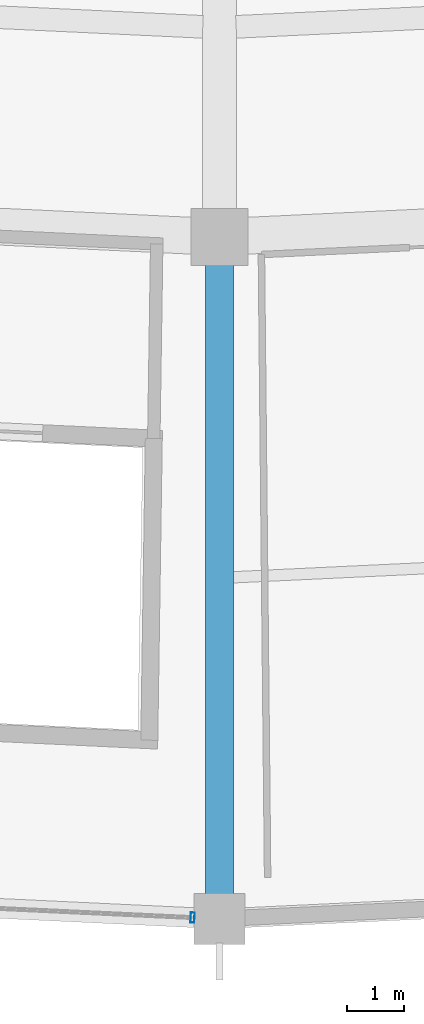
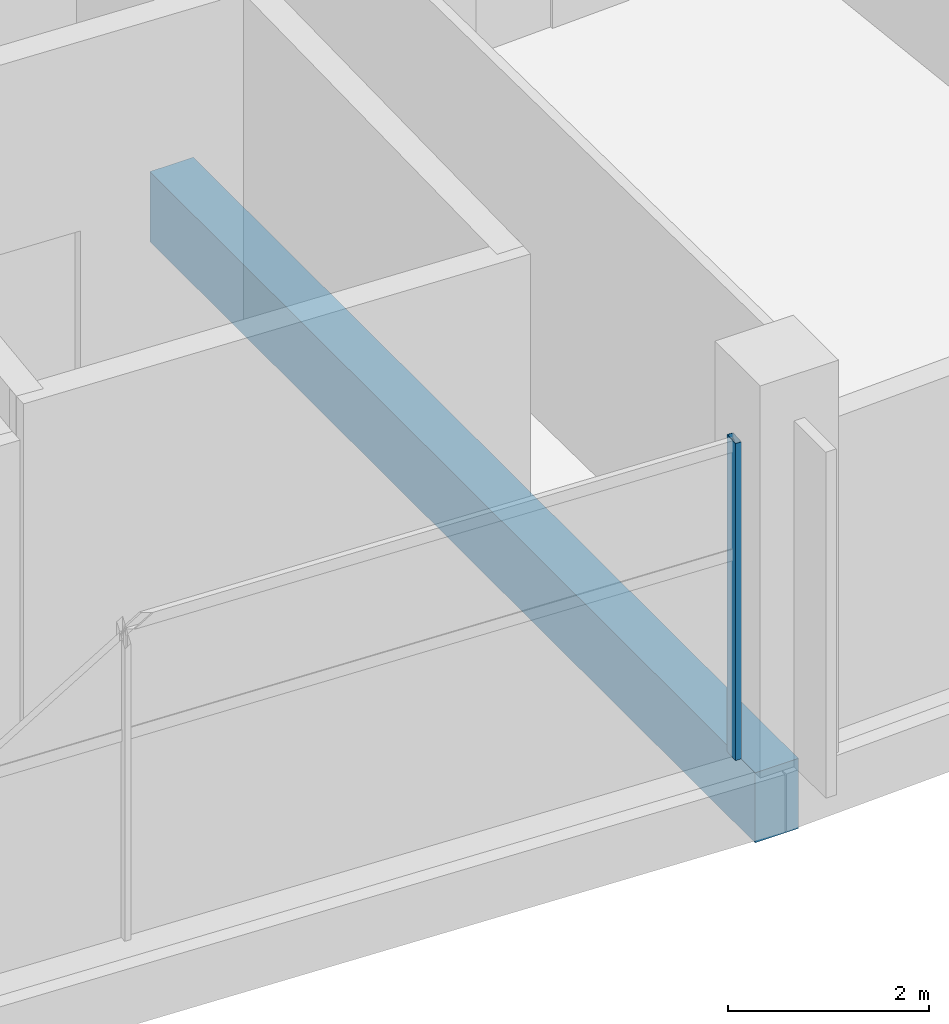
# One storey, part 21 of 156: 1 beam, 1 member, 1 element without a shape of its own.
"""IFC4 building model written with IfcOpenShell, lengths in metres."""

import ifcopenshell
import ifcopenshell.guid

model = None  # the IFC model being written
_history = None  # IfcOwnerHistory: only IFC2X3 demands one
_inside = {}  # id of a spatial element -> (the spatial element, [elements in it])
_under = {}  # id of a project, library or spatial element -> (it, [spatial elements below it])
_declared = {}  # id of a project -> (the project, [libraries it declares])
_typed = {}  # id of a type object -> (the type object, [elements of that type])
_made_of = {}  # id of a material, layer set ... -> (it, [elements and type objects made of it])


def new_model(schema):
    """Start an empty IFC model of exactly this schema.

    Asked for "IFC4X3", IfcOpenShell would pick the latest addendum, in which some entities
    have other attributes; the version numbers below select the first issue.
    IFC2X3 requires an IfcOwnerHistory on every rooted entity: one is made here for all.
    """
    global model, _history
    if schema == "IFC4X3":
        model = ifcopenshell.file(schema_version=(4, 3, 0, 0))
    else:
        model = ifcopenshell.file(schema=schema)
    _inside.clear()
    _under.clear()
    _declared.clear()
    _typed.clear()
    _made_of.clear()
    _history = None
    if model.schema == "IFC2X3":
        org = make("IfcOrganization", Name="unknown")
        user = make(
            "IfcPersonAndOrganization",
            ThePerson=make("IfcPerson", FamilyName="unknown"),
            TheOrganization=org,
        )
        app = make(
            "IfcApplication",
            ApplicationDeveloper=org,
            Version="unknown",
            ApplicationFullName="unknown",
            ApplicationIdentifier="unknown",
        )
        _history = make(
            "IfcOwnerHistory",
            OwningUser=user,
            OwningApplication=app,
            ChangeAction="ADDED",
            CreationDate=0,
        )
    return model


def make(cls, **values):
    """One entity of the class cls with the attributes given. An attribute that is None is left unset."""
    return model.create_entity(
        cls, **{name: value for name, value in values.items() if value is not None}
    )


def rooted(cls, **values):
    """An entity with a GlobalId (a new one), such as an element, a storey or a relation."""
    return make(cls, GlobalId=ifcopenshell.guid.new(), OwnerHistory=_history, **values)


def si_unit(unit_type, name, prefix=None):
    """IfcSIUnit, for example si_unit("LENGTHUNIT", "METRE", prefix="MILLI")."""
    return make("IfcSIUnit", UnitType=unit_type, Prefix=prefix, Name=name)


def assignment(units):
    """IfcUnitAssignment: the units of a project."""
    return None if units is None else make("IfcUnitAssignment", Units=units)


def point(xyz):
    """IfcCartesianPoint."""
    return None if xyz is None else make("IfcCartesianPoint", Coordinates=xyz)


def direction(xyz):
    """IfcDirection."""
    return None if xyz is None else make("IfcDirection", DirectionRatios=xyz)


def frame(location, z_axis=None, x_axis=None):
    """IfcAxis2Placement3D, a coordinate frame: its origin and axes. An axis left out is left unset."""
    return make(
        "IfcAxis2Placement3D",
        Location=point(location),
        Axis=direction(z_axis),
        RefDirection=direction(x_axis),
    )


def frame_2d(location, x_axis=None):
    """IfcAxis2Placement2D, a coordinate frame in the plane: its origin and x axis."""
    return make(
        "IfcAxis2Placement2D", Location=point(location), RefDirection=direction(x_axis)
    )


def origin():
    """The frame at (0, 0, 0) with its axes left unset."""
    return frame((0.0, 0.0, 0.0))


def origin_2d():
    """The frame at (0, 0) in the plane with its x axis left unset."""
    return frame_2d((0.0, 0.0))


def place(relative_to, where):
    """IfcLocalPlacement: puts the frame where relative to a parent placement (None: the world)."""
    return make(
        "IfcLocalPlacement", PlacementRelTo=relative_to, RelativePlacement=where
    )


def context(
    kind, dimensions, precision=None, world=None, true_north=None, identifier=None
):
    """IfcGeometricRepresentationContext, for example the 3D "Model" context."""
    return make(
        "IfcGeometricRepresentationContext",
        ContextIdentifier=identifier,
        ContextType=kind,
        CoordinateSpaceDimension=dimensions,
        Precision=precision,
        WorldCoordinateSystem=world,
        TrueNorth=true_north,
    )


def subcontext(parent, identifier, kind, view, scale=None):
    """IfcGeometricRepresentationSubContext, for example "Body" below "Model"."""
    return make(
        "IfcGeometricRepresentationSubContext",
        ContextIdentifier=identifier,
        ContextType=kind,
        ParentContext=parent,
        TargetScale=scale,
        TargetView=view,
    )


def project(units=None, contexts=None):
    """IfcProject with its units and contexts."""
    return rooted(
        "IfcProject",
        Name="project",
        RepresentationContexts=contexts,
        UnitsInContext=assignment(units),
    )


def spatial(cls, under=None, at=None, **own):
    """A site, building, storey or space (cls), placed at a placement, below another one or the project."""
    s = rooted(cls, ObjectPlacement=at, **own)
    if under is not None:
        _under.setdefault(under.id(), (under, []))[1].append(s)
    return s


def profile(cls, at=None, kind="AREA", **sizes):
    """A parametric profile (cls). Its sizes go by their IFC names, for example OverallWidth=200.0."""
    return make(cls, ProfileType=kind, Position=at, **sizes)


def rectangle(**sizes):
    """IfcRectangleProfileDef."""
    return profile("IfcRectangleProfileDef", **sizes)


def hollow_rectangle(**sizes):
    """IfcRectangleHollowProfileDef."""
    return profile("IfcRectangleHollowProfileDef", **sizes)


def extrude(swept, where, along, depth):
    """IfcExtrudedAreaSolid: the profile swept, set in the frame where, extruded along a direction by depth."""
    return make(
        "IfcExtrudedAreaSolid",
        SweptArea=swept,
        Position=where,
        ExtrudedDirection=direction(along),
        Depth=depth,
    )


def shape(context_of_items, identifier, shape_type, items):
    """IfcShapeRepresentation: the items that make up one representation, for example the "Body"."""
    return make(
        "IfcShapeRepresentation",
        ContextOfItems=context_of_items,
        RepresentationIdentifier=identifier,
        RepresentationType=shape_type,
        Items=items,
    )


def material(Name=None, Category=None):
    """IfcMaterial."""
    return make("IfcMaterial", Name=Name, Category=Category)


def layer(
    of_material, thickness, ventilated=None, Name=None, Category=None, Priority=None
):
    """IfcMaterialLayer: one layer of a wall or slab, of a material (None: an air gap)."""
    return make(
        "IfcMaterialLayer",
        Material=of_material,
        LayerThickness=thickness,
        IsVentilated=ventilated,
        Name=Name,
        Category=Category,
        Priority=Priority,
    )


def layer_set(layers, Name=None):
    """IfcMaterialLayerSet."""
    return make("IfcMaterialLayerSet", MaterialLayers=layers, LayerSetName=Name)


def material_profile(
    of_material, cross_section, Name=None, Category=None, Priority=None
):
    """IfcMaterialProfile: a cross section and its material."""
    return make(
        "IfcMaterialProfile",
        Name=Name,
        Material=of_material,
        Profile=cross_section,
        Priority=Priority,
        Category=Category,
    )


def profile_set(profiles, Name=None, composite=None):
    """IfcMaterialProfileSet."""
    return make(
        "IfcMaterialProfileSet",
        Name=Name,
        MaterialProfiles=profiles,
        CompositeProfile=composite,
    )


def made_of(thing, what):
    """Note that an element or type object is made of a material, layer set ...; save() writes the relation."""
    if what is not None:
        _made_of.setdefault(what.id(), (what, []))[1].append(thing)
    return thing


def type_object(cls, material=None, **own):
    """A type object (cls), such as IfcWallType, which elements share."""
    return made_of(rooted(cls, **own), material)


def element(
    cls,
    number,
    at=None,
    inside=None,
    cuts=None,
    type_object=None,
    material=None,
    context=None,
    identifier="Body",
    shape_type=None,
    held_by="IfcProductDefinitionShape",
    body=None,
    shapes=None,
    **own,
):
    """One element of the class cls, such as IfcWall. Its Tag is "e" and its number.

    at: its placement. inside: the storey or other place that contains it. cuts: it is an
    opening in that element (IfcRelVoidsElement). A single representation is given by context,
    identifier, shape_type and body (its items); several are given by shapes. held_by: the class
    of the entity that holds the representations. save() writes the other relations.
    """
    e = rooted(cls, Tag="e%d" % number, ObjectPlacement=at, **own)
    if body is not None:
        shapes = [shape(context, identifier, shape_type, body)]
    if shapes is not None:
        e.Representation = make(held_by, Representations=shapes)
    if inside is not None:
        _inside.setdefault(inside.id(), (inside, []))[1].append(e)
    if cuts is not None:
        rooted(
            "IfcRelVoidsElement", RelatingBuildingElement=cuts, RelatedOpeningElement=e
        )
    if type_object is not None:
        _typed.setdefault(type_object.id(), (type_object, []))[1].append(e)
    return made_of(e, material)


def aggregate(whole, parts):
    """IfcRelAggregates: a whole, such as a stair, and the parts it consists of."""
    return rooted("IfcRelAggregates", RelatingObject=whole, RelatedObjects=parts)


def save(model, path):
    """Write the relations noted so far, then the file.

    IfcRelAggregates (storeys below a building ...), IfcRelContainedInSpatialStructure (elements
    in a storey), IfcRelDefinesByType, IfcRelAssociatesMaterial and IfcRelDeclares: one each for
    every whole, place, type object, material and project.
    """
    for whole, parts in _under.values():
        aggregate(whole, parts)
    for where, things in _inside.values():
        rooted(
            "IfcRelContainedInSpatialStructure",
            RelatedElements=things,
            RelatingStructure=where,
        )
    for kind, things in _typed.values():
        rooted("IfcRelDefinesByType", RelatedObjects=things, RelatingType=kind)
    for what, things in _made_of.values():
        rooted("IfcRelAssociatesMaterial", RelatedObjects=things, RelatingMaterial=what)
    for by, libraries in _declared.values():
        rooted("IfcRelDeclares", RelatingContext=by, RelatedDefinitions=libraries)
    model.write(path)


model = new_model("IFC4")

# Units and contexts
model_context = context("Model", 3, precision=1e-05, world=origin(), true_north=direction((0.0, 1.0)))
body_context = subcontext(model_context, "Body", "Model", "MODEL_VIEW")
ifc_project = project(units=[si_unit("LENGTHUNIT", "METRE"), si_unit("AREAUNIT", "SQUARE_METRE"), si_unit("VOLUMEUNIT", "CUBIC_METRE"), si_unit("PLANEANGLEUNIT", "RADIAN"), si_unit("MASSUNIT", "GRAM", prefix="KILO")], contexts=[model_context])

# Site, building, storey
site_placement = place(None, origin())
site = spatial("IfcSite", under=ifc_project, at=site_placement, CompositionType="ELEMENT")
building_placement = place(site_placement, origin())
building = spatial("IfcBuilding", under=site, at=building_placement, Name="Kazemori Nagisa Stadium", CompositionType="ELEMENT")
storey_placement = place(building_placement, frame((0.0, 0.0, 5.780029296875)))
storey = spatial("IfcBuildingStorey", under=building, at=storey_placement, Name="L01", CompositionType="ELEMENT", Elevation=5.780029296875)

# Beam
ifc_material_1 = material(Name="Concrete C40/50 (Fc42)", Category="concrete")
ifc_material_profile_1 = material_profile(ifc_material_1, rectangle(XDim=0.5, YDim=0.85009765625, at=origin_2d()), Name="RC-BM-500x850")
ifc_profile_set_1 = profile_set([ifc_material_profile_1], Name="Concrete C40/50 (Fc42)")
beam_type = type_object("IfcBeamType", Name="Beam_BG-RC500X850", PredefinedType="BEAM", material=ifc_profile_set_1)
beam_placement = place(storey_placement, frame((123.0, 28.0400390625, -0.705078125), z_axis=(0.0, -1.0, 0.0), x_axis=(1.0, 0.0, 0.0)))
element("IfcBeam", 1, at=beam_placement, inside=storey, type_object=beam_type, Name="Radial girder BG-RC500X850 L01 R2-R3-22", PredefinedType="BEAM", context=body_context, shape_type="SweptSolid", body=[
    extrude(rectangle(XDim=0.5, YDim=0.85009765625, at=origin_2d()), origin(), (0.0, 0.0, 1.0), 12.0400390625),
])

# Curtain wall, member
ifc_material_2 = material(Name="Anodised aluminium 6063-T5", Category="aluminium")
ifc_layer = layer(ifc_material_2, 0.179931640625, Name="Anodised aluminium 6063-T5", Category="aluminium")
ifc_layer_set = layer_set([ifc_layer], Name="Anodised aluminium 6063-T5")
curtain_wall_type = type_object("IfcCurtainWallType", Name="CW_L01R3_103", PredefinedType="USERDEFINED", material=ifc_layer_set)
curtain_wall_placement = place(storey_placement, origin())
curtain_wall = element("IfcCurtainWall", 2, at=curtain_wall_placement, inside=storey, type_object=curtain_wall_type, Name="Unitised curtain wall CW-L01R3-103 L01", ObjectType="UNITISED CURTAIN WALL", PredefinedType="USERDEFINED")
ifc_material_3 = material(Name="Aluminium 6063-T5 anodised", Category="aluminium")
ifc_material_profile_2 = material_profile(ifc_material_3, hollow_rectangle(XDim=0.070068359375, YDim=0.179931640625, WallThickness=0.00390625, at=origin_2d()), Name="ALU-MULL-70x180x4")
ifc_profile_set_2 = profile_set([ifc_material_profile_2], Name="Aluminium 6063-T5 anodised")
member_type = type_object("IfcMemberType", Name="Mullion_M01", PredefinedType="MULLION", material=ifc_profile_set_2)
member_placement = place(storey_placement, frame((122.525634765625, 16.0224609375, 0.0), z_axis=(0.0, 0.0, 1.0), x_axis=(0.998884022476, -0.047230388971, 0.0)))
member = element("IfcMember", 3, at=member_placement, type_object=member_type, Name="Curtain wall mullion CW-L01R3-103-M4", PredefinedType="MULLION", context=body_context, shape_type="SweptSolid", body=[
    extrude(hollow_rectangle(XDim=0.070068359375, YDim=0.179931640625, WallThickness=0.00390625, at=origin_2d()), origin(), (0.0, 0.0, 1.0), 3.849853515625),
])
aggregate(curtain_wall, [member])

save(model, "model.ifc")
